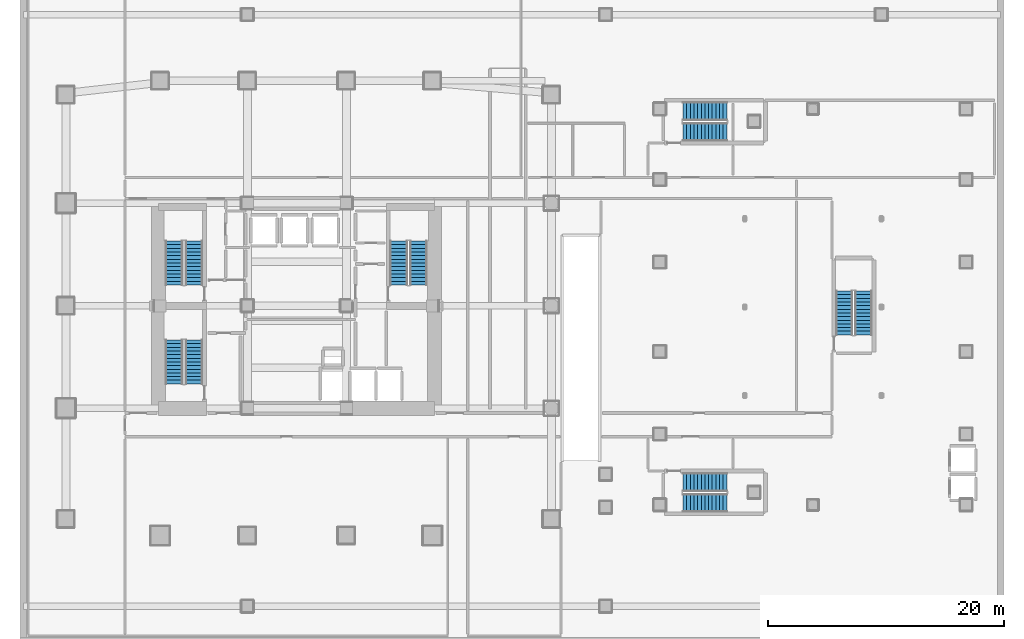
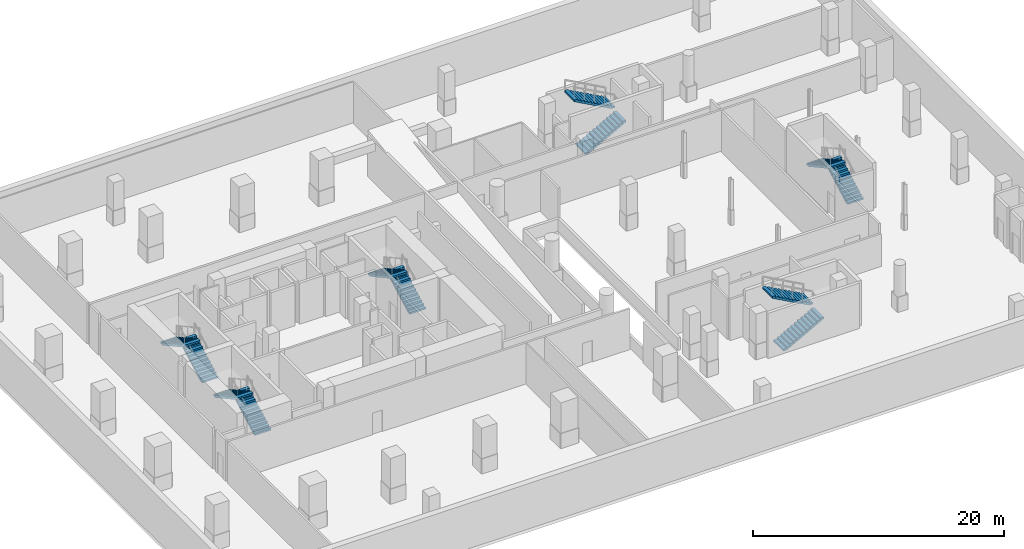
# One storey, part 18 of 22: 12 stair flights, 6 elements without a shape of their own.
"""IFC4 building model written with IfcOpenShell, lengths in metres."""

from ifc_helpers import new_model, si_unit, direction, frame, origin, place, context, subcontext, project, spatial, polyline, outline, extrude, material, type_object, element, aggregate, save


model = new_model("IFC4")

# Units and contexts
model_context = context("Model", 3, precision=1e-05, world=origin(), true_north=direction((0.0, 1.0)))
body_context = subcontext(model_context, "Body", "Model", "MODEL_VIEW")
ifc_project = project(units=[si_unit("LENGTHUNIT", "METRE"), si_unit("AREAUNIT", "SQUARE_METRE"), si_unit("VOLUMEUNIT", "CUBIC_METRE"), si_unit("PLANEANGLEUNIT", "RADIAN"), si_unit("MASSUNIT", "GRAM", prefix="KILO")], contexts=[model_context])

# Site, building, storey
site_placement = place(None, origin())
site = spatial("IfcSite", under=ifc_project, at=site_placement, CompositionType="ELEMENT")
building_placement = place(site_placement, origin())
building = spatial("IfcBuilding", under=site, at=building_placement, Name="Solanera Arch Residences", CompositionType="ELEMENT")
storey_placement = place(building_placement, frame((0.0, 0.0, -4.39990234375)))
storey = spatial("IfcBuildingStorey", under=building, at=storey_placement, Name="B01", CompositionType="ELEMENT", Elevation=-4.39990234375)

# Stair, stair flights
ifc_material_1 = material(Name="Concrete C40/50 (f'c = 45 MPa)", Category="concrete")
stair_type_1 = type_object("IfcStairType", Name="Arena Dogleg Exit Stair 1560", PredefinedType="HALF_TURN_STAIR", material=ifc_material_1)
stair_1_placement = place(storey_placement, origin())
stair_1 = element("IfcStair", 1, at=stair_1_placement, inside=storey, type_object=stair_type_1, Name="B01 Sports Hall South Exit Stair", PredefinedType="HALF_TURN_STAIR")
ifc_material_2 = material(Name="Concrete C40/50 (f'c = 45 MPa)", Category="concrete")
stair_flight_type_1 = type_object("IfcStairFlightType", Name="Arena Precast Stair Flight 1560", PredefinedType="STRAIGHT", material=ifc_material_2)
stair_flight_1_placement = place(storey_placement, frame((57.760009765625, 13.97998046875, 0.0), z_axis=(0.0, 0.0, 1.0), x_axis=(1.0, 0.0, 0.0)))
stair_flight_1 = element("IfcStairFlight", 2, at=stair_flight_1_placement, type_object=stair_flight_type_1, Name="ST-H1 flight 1", NumberOfRisers=13, NumberOfTreads=12, PredefinedType="STRAIGHT", RiserHeight=0.169230769, TreadLength=0.31, context=body_context, shape_type="SweptSolid", body=[
    extrude(outline(polyline([(0.0, 0.0), (0.0, 0.169189453125), (0.31005859375, 0.169189453125), (0.31005859375, 0.33837890625), (0.6201171875, 0.33837890625), (0.6201171875, 0.5078125), (0.929931640625, 0.5078125), (0.929931640625, 0.677001953125), (1.239990234375, 0.677001953125), (1.239990234375, 0.84619140625), (1.550048828125, 0.84619140625), (1.550048828125, 1.015380859375), (1.860107421875, 1.015380859375), (1.860107421875, 1.1845703125), (2.169921875, 1.1845703125), (2.169921875, 1.353759765625), (2.47998046875, 1.353759765625), (2.47998046875, 1.523193359375), (2.7900390625, 1.523193359375), (2.7900390625, 1.6923828125), (3.10009765625, 1.6923828125), (3.10009765625, 1.861572265625), (3.409912109375, 1.861572265625), (3.409912109375, 2.03076171875), (3.719970703125, 2.03076171875), (3.719970703125, 2.199951171875), (3.719970703125, 1.85986328125), (0.312744140625, 0.0), (0.0, 0.0)])), frame((0.0, 0.780029296875, 0.0), z_axis=(0.0, -1.0, 0.0), x_axis=(1.0, 0.0, 0.0)), (0.0, 0.0, 1.0), 1.56005859375),
])
stair_flight_2_placement = place(storey_placement, frame((61.47998046875, 15.739990234375, 2.199951171875), z_axis=(0.0, 0.0, 1.0), x_axis=(-1.0, 0.0, 0.0)))
stair_flight_2 = element("IfcStairFlight", 3, at=stair_flight_2_placement, type_object=stair_flight_type_1, Name="ST-H1 flight 2", NumberOfRisers=13, NumberOfTreads=12, PredefinedType="STRAIGHT", RiserHeight=0.169230769, TreadLength=0.31, context=body_context, shape_type="SweptSolid", body=[
    extrude(outline(polyline([(0.0, 0.0), (0.0, 0.169189453125), (0.31005859375, 0.169189453125), (0.31005859375, 0.33837890625), (0.6201171875, 0.33837890625), (0.6201171875, 0.5078125), (0.929931640625, 0.5078125), (0.929931640625, 0.677001953125), (1.239990234375, 0.677001953125), (1.239990234375, 0.84619140625), (1.550048828125, 0.84619140625), (1.550048828125, 1.015380859375), (1.860107421875, 1.015380859375), (1.860107421875, 1.1845703125), (2.169921875, 1.1845703125), (2.169921875, 1.353759765625), (2.47998046875, 1.353759765625), (2.47998046875, 1.523193359375), (2.7900390625, 1.523193359375), (2.7900390625, 1.6923828125), (3.10009765625, 1.6923828125), (3.10009765625, 1.861572265625), (3.409912109375, 1.861572265625), (3.409912109375, 2.03076171875), (3.719970703125, 2.03076171875), (3.719970703125, 2.199951171875), (3.719970703125, 1.85986328125), (0.312744140625, 0.0), (0.0, 0.0)])), frame((0.0, 0.780029296875, 0.0), z_axis=(0.0, -1.0, 0.0), x_axis=(1.0, 0.0, 0.0)), (0.0, 0.0, 1.0), 1.56005859375),
])
aggregate(stair_1, [stair_flight_1, stair_flight_2])

stair_2_placement = place(storey_placement, origin())
stair_2 = element("IfcStair", 4, at=stair_2_placement, inside=storey, type_object=stair_type_1, Name="B01 Sports Hall North Exit Stair", PredefinedType="HALF_TURN_STAIR")
stair_flight_3_placement = place(storey_placement, frame((57.760009765625, 45.4599609375, 0.0), z_axis=(0.0, 0.0, 1.0), x_axis=(1.0, 0.0, 0.0)))
stair_flight_3 = element("IfcStairFlight", 5, at=stair_flight_3_placement, type_object=stair_flight_type_1, Name="ST-H2 flight 1", NumberOfRisers=13, NumberOfTreads=12, PredefinedType="STRAIGHT", RiserHeight=0.169230769, TreadLength=0.31, context=body_context, shape_type="SweptSolid", body=[
    extrude(outline(polyline([(0.0, 0.0), (0.0, 0.169189453125), (0.31005859375, 0.169189453125), (0.31005859375, 0.33837890625), (0.6201171875, 0.33837890625), (0.6201171875, 0.5078125), (0.929931640625, 0.5078125), (0.929931640625, 0.677001953125), (1.239990234375, 0.677001953125), (1.239990234375, 0.84619140625), (1.550048828125, 0.84619140625), (1.550048828125, 1.015380859375), (1.860107421875, 1.015380859375), (1.860107421875, 1.1845703125), (2.169921875, 1.1845703125), (2.169921875, 1.353759765625), (2.47998046875, 1.353759765625), (2.47998046875, 1.523193359375), (2.7900390625, 1.523193359375), (2.7900390625, 1.6923828125), (3.10009765625, 1.6923828125), (3.10009765625, 1.861572265625), (3.409912109375, 1.861572265625), (3.409912109375, 2.03076171875), (3.719970703125, 2.03076171875), (3.719970703125, 2.199951171875), (3.719970703125, 1.85986328125), (0.312744140625, 0.0), (0.0, 0.0)])), frame((0.0, 0.780029296875, 0.0), z_axis=(0.0, -1.0, 0.0), x_axis=(1.0, 0.0, 0.0)), (0.0, 0.0, 1.0), 1.56005859375),
])
stair_flight_4_placement = place(storey_placement, frame((61.47998046875, 47.219970703125, 2.199951171875), z_axis=(0.0, 0.0, 1.0), x_axis=(-1.0, 0.0, 0.0)))
stair_flight_4 = element("IfcStairFlight", 6, at=stair_flight_4_placement, type_object=stair_flight_type_1, Name="ST-H2 flight 2", NumberOfRisers=13, NumberOfTreads=12, PredefinedType="STRAIGHT", RiserHeight=0.169230769, TreadLength=0.31, context=body_context, shape_type="SweptSolid", body=[
    extrude(outline(polyline([(0.0, 0.0), (0.0, 0.169189453125), (0.31005859375, 0.169189453125), (0.31005859375, 0.33837890625), (0.6201171875, 0.33837890625), (0.6201171875, 0.5078125), (0.929931640625, 0.5078125), (0.929931640625, 0.677001953125), (1.239990234375, 0.677001953125), (1.239990234375, 0.84619140625), (1.550048828125, 0.84619140625), (1.550048828125, 1.015380859375), (1.860107421875, 1.015380859375), (1.860107421875, 1.1845703125), (2.169921875, 1.1845703125), (2.169921875, 1.353759765625), (2.47998046875, 1.353759765625), (2.47998046875, 1.523193359375), (2.7900390625, 1.523193359375), (2.7900390625, 1.6923828125), (3.10009765625, 1.6923828125), (3.10009765625, 1.861572265625), (3.409912109375, 1.861572265625), (3.409912109375, 2.03076171875), (3.719970703125, 2.03076171875), (3.719970703125, 2.199951171875), (3.719970703125, 1.85986328125), (0.312744140625, 0.0), (0.0, 0.0)])), frame((0.0, 0.780029296875, 0.0), z_axis=(0.0, -1.0, 0.0), x_axis=(1.0, 0.0, 0.0)), (0.0, 0.0, 1.0), 1.56005859375),
])
aggregate(stair_2, [stair_flight_3, stair_flight_4])

ifc_material_3 = material(Name="Concrete C40/50 (f'c = 45 MPa)", Category="concrete")
stair_type_2 = type_object("IfcStairType", Name="Basement Exit Stair 1440", PredefinedType="HALF_TURN_STAIR", material=ifc_material_3)
stair_3_placement = place(storey_placement, origin())
stair_3 = element("IfcStair", 7, at=stair_3_placement, inside=storey, type_object=stair_type_2, Name="B01 Basement Car Park Exit Stair", PredefinedType="HALF_TURN_STAIR")
ifc_material_4 = material(Name="Concrete C40/50 (f'c = 45 MPa)", Category="concrete")
stair_flight_type_2 = type_object("IfcStairFlightType", Name="Basement Precast Stair Flight 1440", PredefinedType="STRAIGHT", material=ifc_material_4)
stair_flight_5_placement = place(storey_placement, frame((73.080078125, 28.239990234375, 0.0), z_axis=(0.0, 0.0, 1.0), x_axis=(0.0, 1.0, 0.0)))
stair_flight_5 = element("IfcStairFlight", 8, at=stair_flight_5_placement, type_object=stair_flight_type_2, Name="ST-B1 flight 1", NumberOfRisers=13, NumberOfTreads=12, PredefinedType="STRAIGHT", RiserHeight=0.169230769, TreadLength=0.31, context=body_context, shape_type="SweptSolid", body=[
    extrude(outline(polyline([(0.0, 0.0), (0.0, 0.169189453125), (0.31005859375, 0.169189453125), (0.31005859375, 0.33837890625), (0.6201171875, 0.33837890625), (0.6201171875, 0.5078125), (0.929931640625, 0.5078125), (0.929931640625, 0.677001953125), (1.239990234375, 0.677001953125), (1.239990234375, 0.84619140625), (1.550048828125, 0.84619140625), (1.550048828125, 1.015380859375), (1.860107421875, 1.015380859375), (1.860107421875, 1.1845703125), (2.169921875, 1.1845703125), (2.169921875, 1.353759765625), (2.47998046875, 1.353759765625), (2.47998046875, 1.523193359375), (2.7900390625, 1.523193359375), (2.7900390625, 1.6923828125), (3.10009765625, 1.6923828125), (3.10009765625, 1.861572265625), (3.409912109375, 1.861572265625), (3.409912109375, 2.03076171875), (3.719970703125, 2.03076171875), (3.719970703125, 2.199951171875), (3.719970703125, 1.85986328125), (0.312744140625, 0.0), (0.0, 0.0)])), frame((0.0, 0.719970703125, 0.0), z_axis=(0.0, -1.0, 0.0), x_axis=(1.0, 0.0, 0.0)), (0.0, 0.0, 1.0), 1.43994140625),
])
stair_flight_6_placement = place(storey_placement, frame((71.43994140625, 31.9599609375, 2.199951171875), z_axis=(0.0, 0.0, 1.0), x_axis=(0.0, -1.0, 0.0)))
stair_flight_6 = element("IfcStairFlight", 9, at=stair_flight_6_placement, type_object=stair_flight_type_2, Name="ST-B1 flight 2", NumberOfRisers=13, NumberOfTreads=12, PredefinedType="STRAIGHT", RiserHeight=0.169230769, TreadLength=0.31, context=body_context, shape_type="SweptSolid", body=[
    extrude(outline(polyline([(0.0, 0.0), (0.0, 0.169189453125), (0.31005859375, 0.169189453125), (0.31005859375, 0.33837890625), (0.6201171875, 0.33837890625), (0.6201171875, 0.5078125), (0.929931640625, 0.5078125), (0.929931640625, 0.677001953125), (1.239990234375, 0.677001953125), (1.239990234375, 0.84619140625), (1.550048828125, 0.84619140625), (1.550048828125, 1.015380859375), (1.860107421875, 1.015380859375), (1.860107421875, 1.1845703125), (2.169921875, 1.1845703125), (2.169921875, 1.353759765625), (2.47998046875, 1.353759765625), (2.47998046875, 1.523193359375), (2.7900390625, 1.523193359375), (2.7900390625, 1.6923828125), (3.10009765625, 1.6923828125), (3.10009765625, 1.861572265625), (3.409912109375, 1.861572265625), (3.409912109375, 2.03076171875), (3.719970703125, 2.03076171875), (3.719970703125, 2.199951171875), (3.719970703125, 1.85986328125), (0.312744140625, 0.0), (0.0, 0.0)])), frame((0.0, 0.719970703125, 0.0), z_axis=(0.0, -1.0, 0.0), x_axis=(1.0, 0.0, 0.0)), (0.0, 0.0, 1.0), 1.43994140625),
])
aggregate(stair_3, [stair_flight_5, stair_flight_6])

ifc_material_5 = material(Name="Concrete C40/50 (f'c = 45 MPa)", Category="concrete")
stair_type_3 = type_object("IfcStairType", Name="Tower Dogleg Exit Stair 1480", PredefinedType="HALF_TURN_STAIR", material=ifc_material_5)
stair_4_placement = place(storey_placement, origin())
stair_4 = element("IfcStair", 10, at=stair_4_placement, inside=storey, type_object=stair_type_3, Name="B01 Tower Core Exit Stair 1", PredefinedType="HALF_TURN_STAIR")
ifc_material_6 = material(Name="Concrete C40/50 (f'c = 45 MPa)", Category="concrete")
stair_flight_type_3 = type_object("IfcStairFlightType", Name="Tower Precast Stair Flight 1480", PredefinedType="STRAIGHT", material=ifc_material_6)
stair_flight_7_placement = place(storey_placement, frame((16.260009765625, 32.47998046875, 0.0), z_axis=(0.0, 0.0, 1.0), x_axis=(0.0, 1.0, 0.0)))
stair_flight_7 = element("IfcStairFlight", 11, at=stair_flight_7_placement, type_object=stair_flight_type_3, Name="ST-T1 flight 1", NumberOfRisers=13, NumberOfTreads=12, PredefinedType="STRAIGHT", RiserHeight=0.169230769, TreadLength=0.31, context=body_context, shape_type="SweptSolid", body=[
    extrude(outline(polyline([(0.0, 0.0), (0.0, 0.169189453125), (0.31005859375, 0.169189453125), (0.31005859375, 0.33837890625), (0.6201171875, 0.33837890625), (0.6201171875, 0.5078125), (0.929931640625, 0.5078125), (0.929931640625, 0.677001953125), (1.239990234375, 0.677001953125), (1.239990234375, 0.84619140625), (1.550048828125, 0.84619140625), (1.550048828125, 1.015380859375), (1.860107421875, 1.015380859375), (1.860107421875, 1.1845703125), (2.169921875, 1.1845703125), (2.169921875, 1.353759765625), (2.47998046875, 1.353759765625), (2.47998046875, 1.523193359375), (2.7900390625, 1.523193359375), (2.7900390625, 1.6923828125), (3.10009765625, 1.6923828125), (3.10009765625, 1.861572265625), (3.409912109375, 1.861572265625), (3.409912109375, 2.03076171875), (3.719970703125, 2.03076171875), (3.719970703125, 2.199951171875), (3.719970703125, 1.85986328125), (0.312744140625, 0.0), (0.0, 0.0)])), frame((0.0, 0.739990234375, 0.0), z_axis=(0.0, -1.0, 0.0), x_axis=(1.0, 0.0, 0.0)), (0.0, 0.0, 1.0), 1.47998046875),
])
stair_flight_8_placement = place(storey_placement, frame((14.580078125, 36.199951171875, 2.199951171875), z_axis=(0.0, 0.0, 1.0), x_axis=(0.0, -1.0, 0.0)))
stair_flight_8 = element("IfcStairFlight", 12, at=stair_flight_8_placement, type_object=stair_flight_type_3, Name="ST-T1 flight 2", NumberOfRisers=13, NumberOfTreads=12, PredefinedType="STRAIGHT", RiserHeight=0.169230769, TreadLength=0.31, context=body_context, shape_type="SweptSolid", body=[
    extrude(outline(polyline([(0.0, 0.0), (0.0, 0.169189453125), (0.31005859375, 0.169189453125), (0.31005859375, 0.33837890625), (0.6201171875, 0.33837890625), (0.6201171875, 0.5078125), (0.929931640625, 0.5078125), (0.929931640625, 0.677001953125), (1.239990234375, 0.677001953125), (1.239990234375, 0.84619140625), (1.550048828125, 0.84619140625), (1.550048828125, 1.015380859375), (1.860107421875, 1.015380859375), (1.860107421875, 1.1845703125), (2.169921875, 1.1845703125), (2.169921875, 1.353759765625), (2.47998046875, 1.353759765625), (2.47998046875, 1.523193359375), (2.7900390625, 1.523193359375), (2.7900390625, 1.6923828125), (3.10009765625, 1.6923828125), (3.10009765625, 1.861572265625), (3.409912109375, 1.861572265625), (3.409912109375, 2.03076171875), (3.719970703125, 2.03076171875), (3.719970703125, 2.199951171875), (3.719970703125, 1.85986328125), (0.312744140625, 0.0), (0.0, 0.0)])), frame((0.0, 0.739990234375, 0.0), z_axis=(0.0, -1.0, 0.0), x_axis=(1.0, 0.0, 0.0)), (0.0, 0.0, 1.0), 1.47998046875),
])
aggregate(stair_4, [stair_flight_7, stair_flight_8])

stair_5_placement = place(storey_placement, origin())
stair_5 = element("IfcStair", 13, at=stair_5_placement, inside=storey, type_object=stair_type_3, Name="B01 Tower Core Exit Stair 2", PredefinedType="HALF_TURN_STAIR")
stair_flight_9_placement = place(storey_placement, frame((35.320068359375, 32.47998046875, 0.0), z_axis=(0.0, 0.0, 1.0), x_axis=(0.0, 1.0, 0.0)))
stair_flight_9 = element("IfcStairFlight", 14, at=stair_flight_9_placement, type_object=stair_flight_type_3, Name="ST-T2 flight 1", NumberOfRisers=13, NumberOfTreads=12, PredefinedType="STRAIGHT", RiserHeight=0.169230769, TreadLength=0.31, context=body_context, shape_type="SweptSolid", body=[
    extrude(outline(polyline([(0.0, 0.0), (0.0, 0.169189453125), (0.31005859375, 0.169189453125), (0.31005859375, 0.33837890625), (0.6201171875, 0.33837890625), (0.6201171875, 0.5078125), (0.929931640625, 0.5078125), (0.929931640625, 0.677001953125), (1.239990234375, 0.677001953125), (1.239990234375, 0.84619140625), (1.550048828125, 0.84619140625), (1.550048828125, 1.015380859375), (1.860107421875, 1.015380859375), (1.860107421875, 1.1845703125), (2.169921875, 1.1845703125), (2.169921875, 1.353759765625), (2.47998046875, 1.353759765625), (2.47998046875, 1.523193359375), (2.7900390625, 1.523193359375), (2.7900390625, 1.6923828125), (3.10009765625, 1.6923828125), (3.10009765625, 1.861572265625), (3.409912109375, 1.861572265625), (3.409912109375, 2.03076171875), (3.719970703125, 2.03076171875), (3.719970703125, 2.199951171875), (3.719970703125, 1.85986328125), (0.312744140625, 0.0), (0.0, 0.0)])), frame((0.0, 0.739990234375, 0.0), z_axis=(0.0, -1.0, 0.0), x_axis=(1.0, 0.0, 0.0)), (0.0, 0.0, 1.0), 1.47998046875),
])
stair_flight_10_placement = place(storey_placement, frame((33.639892578125, 36.199951171875, 2.199951171875), z_axis=(0.0, 0.0, 1.0), x_axis=(0.0, -1.0, 0.0)))
stair_flight_10 = element("IfcStairFlight", 15, at=stair_flight_10_placement, type_object=stair_flight_type_3, Name="ST-T2 flight 2", NumberOfRisers=13, NumberOfTreads=12, PredefinedType="STRAIGHT", RiserHeight=0.169230769, TreadLength=0.31, context=body_context, shape_type="SweptSolid", body=[
    extrude(outline(polyline([(0.0, 0.0), (0.0, 0.169189453125), (0.31005859375, 0.169189453125), (0.31005859375, 0.33837890625), (0.6201171875, 0.33837890625), (0.6201171875, 0.5078125), (0.929931640625, 0.5078125), (0.929931640625, 0.677001953125), (1.239990234375, 0.677001953125), (1.239990234375, 0.84619140625), (1.550048828125, 0.84619140625), (1.550048828125, 1.015380859375), (1.860107421875, 1.015380859375), (1.860107421875, 1.1845703125), (2.169921875, 1.1845703125), (2.169921875, 1.353759765625), (2.47998046875, 1.353759765625), (2.47998046875, 1.523193359375), (2.7900390625, 1.523193359375), (2.7900390625, 1.6923828125), (3.10009765625, 1.6923828125), (3.10009765625, 1.861572265625), (3.409912109375, 1.861572265625), (3.409912109375, 2.03076171875), (3.719970703125, 2.03076171875), (3.719970703125, 2.199951171875), (3.719970703125, 1.85986328125), (0.312744140625, 0.0), (0.0, 0.0)])), frame((0.0, 0.739990234375, 0.0), z_axis=(0.0, -1.0, 0.0), x_axis=(1.0, 0.0, 0.0)), (0.0, 0.0, 1.0), 1.47998046875),
])
aggregate(stair_5, [stair_flight_9, stair_flight_10])

stair_6_placement = place(storey_placement, origin())
stair_6 = element("IfcStair", 16, at=stair_6_placement, inside=storey, type_object=stair_type_3, Name="B01 Tower Core Exit Stair 3", PredefinedType="HALF_TURN_STAIR")
stair_flight_11_placement = place(storey_placement, frame((16.260009765625, 24.080078125, 0.0), z_axis=(0.0, 0.0, 1.0), x_axis=(0.0, 1.0, 0.0)))
stair_flight_11 = element("IfcStairFlight", 17, at=stair_flight_11_placement, type_object=stair_flight_type_3, Name="ST-T3 flight 1", NumberOfRisers=13, NumberOfTreads=12, PredefinedType="STRAIGHT", RiserHeight=0.169230769, TreadLength=0.31, context=body_context, shape_type="SweptSolid", body=[
    extrude(outline(polyline([(0.0, 0.0), (0.0, 0.169189453125), (0.31005859375, 0.169189453125), (0.31005859375, 0.33837890625), (0.6201171875, 0.33837890625), (0.6201171875, 0.5078125), (0.929931640625, 0.5078125), (0.929931640625, 0.677001953125), (1.239990234375, 0.677001953125), (1.239990234375, 0.84619140625), (1.550048828125, 0.84619140625), (1.550048828125, 1.015380859375), (1.860107421875, 1.015380859375), (1.860107421875, 1.1845703125), (2.169921875, 1.1845703125), (2.169921875, 1.353759765625), (2.47998046875, 1.353759765625), (2.47998046875, 1.523193359375), (2.7900390625, 1.523193359375), (2.7900390625, 1.6923828125), (3.10009765625, 1.6923828125), (3.10009765625, 1.861572265625), (3.409912109375, 1.861572265625), (3.409912109375, 2.03076171875), (3.719970703125, 2.03076171875), (3.719970703125, 2.199951171875), (3.719970703125, 1.85986328125), (0.312744140625, 0.0), (0.0, 0.0)])), frame((0.0, 0.739990234375, 0.0), z_axis=(0.0, -1.0, 0.0), x_axis=(1.0, 0.0, 0.0)), (0.0, 0.0, 1.0), 1.47998046875),
])
stair_flight_12_placement = place(storey_placement, frame((14.580078125, 27.800048828125, 2.199951171875), z_axis=(0.0, 0.0, 1.0), x_axis=(0.0, -1.0, 0.0)))
stair_flight_12 = element("IfcStairFlight", 18, at=stair_flight_12_placement, type_object=stair_flight_type_3, Name="ST-T3 flight 2", NumberOfRisers=13, NumberOfTreads=12, PredefinedType="STRAIGHT", RiserHeight=0.169230769, TreadLength=0.31, context=body_context, shape_type="SweptSolid", body=[
    extrude(outline(polyline([(0.0, 0.0), (0.0, 0.169189453125), (0.31005859375, 0.169189453125), (0.31005859375, 0.33837890625), (0.6201171875, 0.33837890625), (0.6201171875, 0.5078125), (0.929931640625, 0.5078125), (0.929931640625, 0.677001953125), (1.239990234375, 0.677001953125), (1.239990234375, 0.84619140625), (1.550048828125, 0.84619140625), (1.550048828125, 1.015380859375), (1.860107421875, 1.015380859375), (1.860107421875, 1.1845703125), (2.169921875, 1.1845703125), (2.169921875, 1.353759765625), (2.47998046875, 1.353759765625), (2.47998046875, 1.523193359375), (2.7900390625, 1.523193359375), (2.7900390625, 1.6923828125), (3.10009765625, 1.6923828125), (3.10009765625, 1.861572265625), (3.409912109375, 1.861572265625), (3.409912109375, 2.03076171875), (3.719970703125, 2.03076171875), (3.719970703125, 2.199951171875), (3.719970703125, 1.85986328125), (0.312744140625, 0.0), (0.0, 0.0)])), frame((0.0, 0.739990234375, 0.0), z_axis=(0.0, -1.0, 0.0), x_axis=(1.0, 0.0, 0.0)), (0.0, 0.0, 1.0), 1.47998046875),
])
aggregate(stair_6, [stair_flight_11, stair_flight_12])

save(model, "model.ifc")
